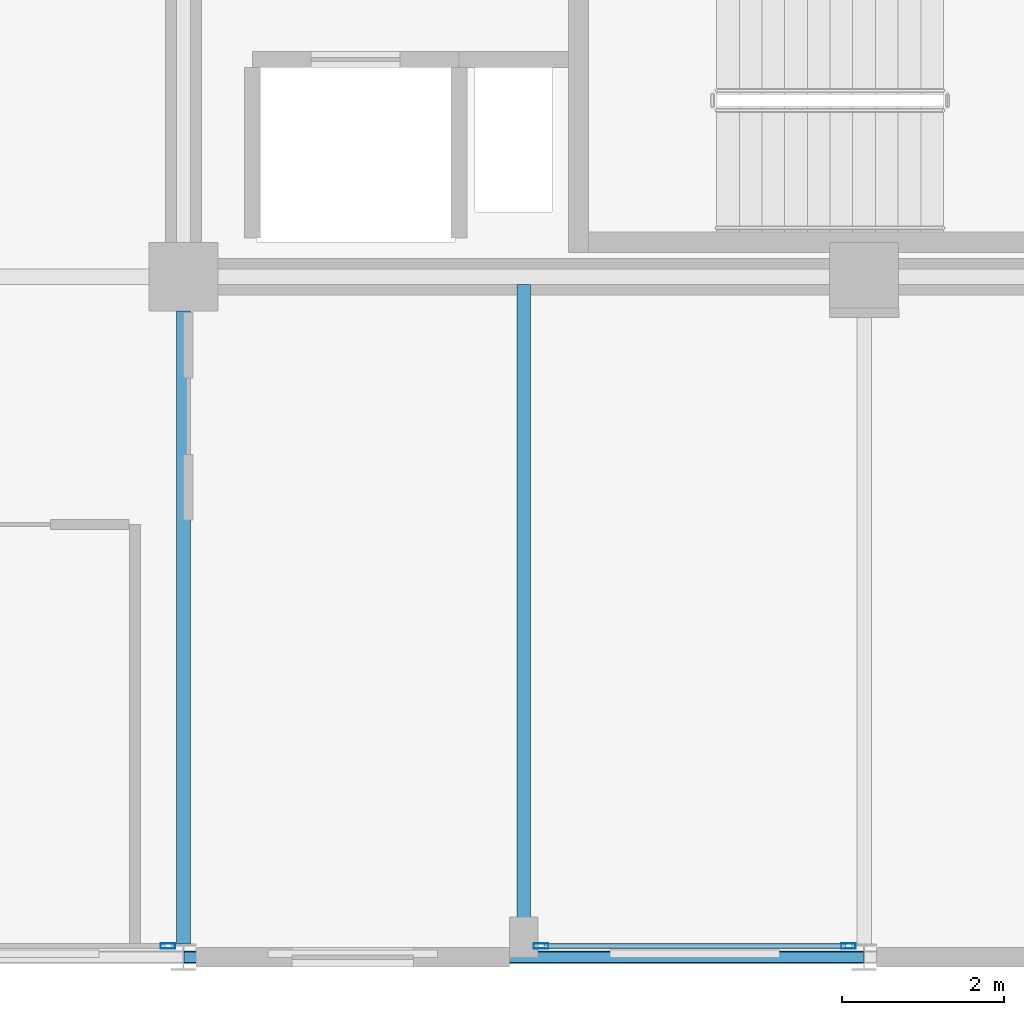
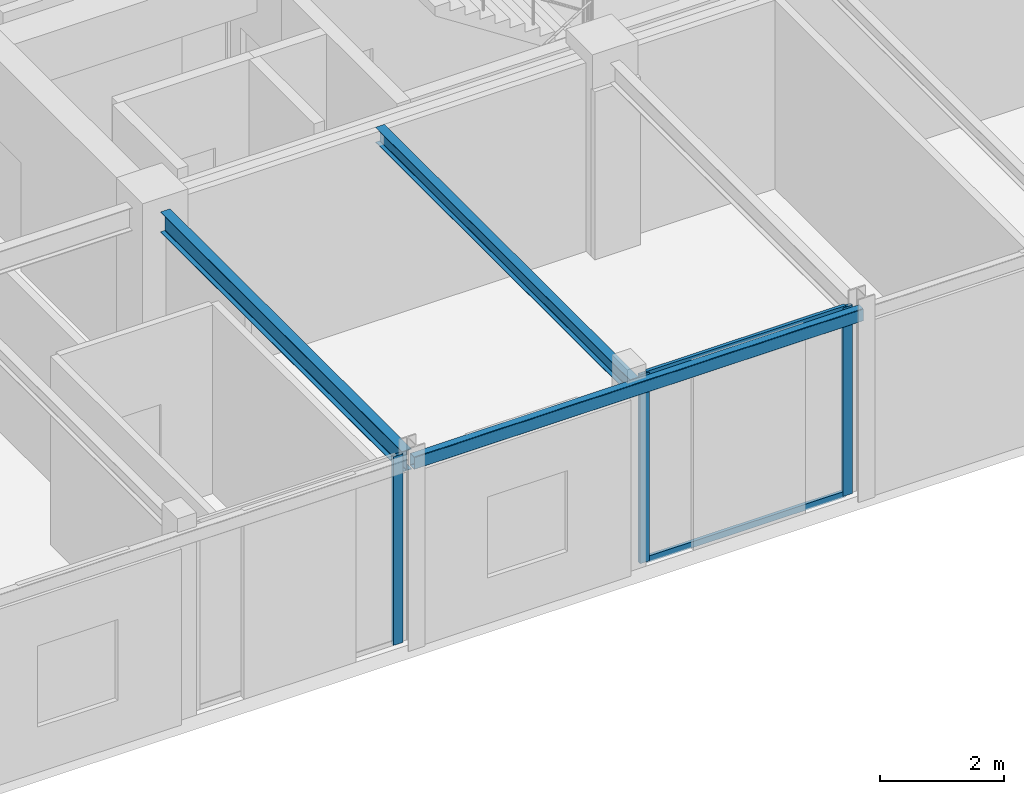
# One storey, part 7 of 26: 5 members, 3 beams, 2 elements without a shape of their own.
"""IFC4 building model written with IfcOpenShell, lengths in metres."""

from ifc_helpers import new_model, si_unit, direction, frame, origin, origin_2d, place, context, subcontext, project, spatial, hollow_rectangle, i_section, extrude, material, layer, layer_set, material_profile, profile_set, type_object, element, aggregate, save


model = new_model("IFC4")

# Units and contexts
model_context = context("Model", 3, precision=1e-05, world=origin(), true_north=direction((0.0, 1.0)))
body_context = subcontext(model_context, "Body", "Model", "MODEL_VIEW")
ifc_project = project(units=[si_unit("LENGTHUNIT", "METRE"), si_unit("AREAUNIT", "SQUARE_METRE"), si_unit("VOLUMEUNIT", "CUBIC_METRE"), si_unit("PLANEANGLEUNIT", "RADIAN"), si_unit("MASSUNIT", "GRAM", prefix="KILO")], contexts=[model_context])

# Site, building, storey
site_placement = place(None, origin())
site = spatial("IfcSite", under=ifc_project, at=site_placement, CompositionType="ELEMENT")
building_placement = place(site_placement, origin())
building = spatial("IfcBuilding", under=site, at=building_placement, Name="Nerrivon Quay Data Exchange", CompositionType="ELEMENT")
storey_placement = place(building_placement, frame((0.0, 0.0, 262.199951171875)))
storey = spatial("IfcBuildingStorey", under=building, at=storey_placement, Name="L62", CompositionType="ELEMENT", Elevation=262.199951171875)

# Beams
ifc_material_1 = material(Name="Steel Grade 350", Category="steel")
ifc_material_profile_1 = material_profile(ifc_material_1, i_section(OverallWidth=0.177978515625, OverallDepth=0.406005859375, WebThickness=0.0078125, FlangeThickness=0.0126953125, FilletRadius=0.011474609375, at=origin_2d()), Name="410UB59.7")
ifc_profile_set_1 = profile_set([ifc_material_profile_1], Name="Steel Grade 350")
beam_type_1 = type_object("IfcBeamType", Name="BM-J1-410UB60", PredefinedType="JOIST", material=ifc_profile_set_1)
beam_1_placement = place(storey_placement, frame((16.800048828125, 0.16357421875, 3.52197265625), z_axis=(0.0, 1.0, 0.0), x_axis=(-1.0, 0.0, 0.0)))
element("IfcBeam", 1, at=beam_1_placement, inside=storey, type_object=beam_type_1, Name="L62 NS Girder X=16.8 (0.0..8.4)", PredefinedType="JOIST", context=body_context, shape_type="SweptSolid", body=[
    extrude(i_section(OverallWidth=0.177978515625, OverallDepth=0.406005859375, WebThickness=0.0078125, FlangeThickness=0.0126953125, FilletRadius=0.011474609375, at=origin_2d()), origin(), (0.0, 0.0, 1.0), 7.8115234375),
])
ifc_material_profile_2 = material_profile(ifc_material_1, i_section(OverallWidth=0.1650390625, OverallDepth=0.303955078125, WebThickness=0.006103515625, FlangeThickness=0.01025390625, FilletRadius=0.011474609375, at=origin_2d()), Name="310UB40.4")
ifc_profile_set_2 = profile_set([ifc_material_profile_2], Name="Steel Grade 350")
beam_type_2 = type_object("IfcBeamType", Name="BM-J6-310UB40", PredefinedType="JOIST", material=ifc_profile_set_2)
beam_2_placement = place(storey_placement, frame((21.0, 0.074951171875, 3.572998046875), z_axis=(0.0, 1.0, 0.0), x_axis=(-1.0, 0.0, 0.0)))
element("IfcBeam", 2, at=beam_2_placement, inside=storey, type_object=beam_type_2, Name="L62 Secondary Joist X=21.0 (0.0..8.4)", PredefinedType="JOIST", context=body_context, shape_type="SweptSolid", body=[
    extrude(i_section(OverallWidth=0.1650390625, OverallDepth=0.303955078125, WebThickness=0.006103515625, FlangeThickness=0.01025390625, FilletRadius=0.011474609375, at=origin_2d()), origin(), (0.0, 0.0, 1.0), 8.22998046875),
])
ifc_material_2 = material(Name="Steel Grade C350L0 (350 MPa)", Category="steel")
ifc_material_profile_3 = material_profile(ifc_material_2, hollow_rectangle(XDim=0.14990234375, YDim=0.25, WallThickness=0.009033203125, InnerFilletRadius=0.013427734375, OuterFilletRadius=0.0224609375, at=origin_2d()), Name="250x150x9.0RHS")
ifc_profile_set_3 = profile_set([ifc_material_profile_3], Name="Steel Grade C350L0 (350 MPa)")
beam_type_3 = type_object("IfcBeamType", Name="BM-SP4-250x150RHS", PredefinedType="SPANDREL", material=ifc_profile_set_3)
beam_3_placement = place(storey_placement, frame((16.807861328125, 0.0, 3.60009765625), z_axis=(1.0, 0.0, 0.0), x_axis=(0.0, 1.0, 0.0)))
element("IfcBeam", 3, at=beam_3_placement, inside=storey, type_object=beam_type_3, Name="L62 EW Girder Y=0.0 (16.8..25.2)", PredefinedType="SPANDREL", context=body_context, shape_type="SweptSolid", body=[
    extrude(hollow_rectangle(XDim=0.14990234375, YDim=0.25, WallThickness=0.009033203125, InnerFilletRadius=0.013427734375, OuterFilletRadius=0.0224609375, at=origin_2d()), origin(), (0.0, 0.0, 1.0), 8.38427734375),
])

# Curtain wall, members
ifc_material_3 = material(Name="Anodised aluminium 6063-T6", Category="aluminium")
ifc_layer = layer(ifc_material_3, 0.195068359375)
ifc_layer_set = layer_set([ifc_layer], Name="Anodised aluminium 6063-T6")
curtain_wall_type = type_object("IfcCurtainWallType", Name="CW-SYS-06", PredefinedType="NOTDEFINED", material=ifc_layer_set)
curtain_wall_1_placement = place(storey_placement, origin())
curtain_wall_1 = element("IfcCurtainWall", 4, at=curtain_wall_1_placement, inside=storey, type_object=curtain_wall_type, Name="L62 Unitised Curtain Wall 4", PredefinedType="NOTDEFINED")
ifc_material_profile_4 = material_profile(ifc_material_3, hollow_rectangle(XDim=0.06494140625, YDim=0.179931640625, WallThickness=0.00341796875, at=origin_2d()), Name="ALU-MULL-180x65")
ifc_profile_set_4 = profile_set([ifc_material_profile_4], Name="Anodised aluminium 6063-T6")
member_type_1 = type_object("IfcMemberType", Name="CWM-180x65", PredefinedType="MULLION", material=ifc_profile_set_4)
member_1_placement = place(storey_placement, frame((25.007080078125, 0.139892578125, 0.0), z_axis=(0.0, 0.0, 1.0), x_axis=(0.0, -1.0, 0.0)))
member_1 = element("IfcMember", 5, at=member_1_placement, type_object=member_type_1, Name="CW06 mullion 1", PredefinedType="MULLION", context=body_context, shape_type="SweptSolid", body=[
    extrude(hollow_rectangle(XDim=0.06494140625, YDim=0.179931640625, WallThickness=0.00341796875, at=origin_2d()), origin(), (0.0, 0.0, 1.0), 3.72509765625),
])
member_2_placement = place(storey_placement, frame((21.21240234375, 0.139892578125, 0.0), z_axis=(0.0, 0.0, 1.0), x_axis=(0.0, -1.0, 0.0)))
member_2 = element("IfcMember", 6, at=member_2_placement, type_object=member_type_1, Name="CW06 mullion 2", PredefinedType="MULLION", context=body_context, shape_type="SweptSolid", body=[
    extrude(hollow_rectangle(XDim=0.06494140625, YDim=0.179931640625, WallThickness=0.00341796875, at=origin_2d()), origin(), (0.0, 0.0, 1.0), 3.72509765625),
])

# Curtain wall, member
curtain_wall_2_placement = place(storey_placement, origin())
curtain_wall_2 = element("IfcCurtainWall", 7, at=curtain_wall_2_placement, inside=storey, type_object=curtain_wall_type, Name="L62 Unitised Curtain Wall 6", PredefinedType="NOTDEFINED")
member_3_placement = place(storey_placement, frame((16.60693359375, 0.139892578125, 0.0), z_axis=(0.0, 0.0, 1.0), x_axis=(0.0, -1.0, 0.0)))
member_3 = element("IfcMember", 8, at=member_3_placement, type_object=member_type_1, Name="CW06 mullion 1", PredefinedType="MULLION", context=body_context, shape_type="SweptSolid", body=[
    extrude(hollow_rectangle(XDim=0.06494140625, YDim=0.179931640625, WallThickness=0.00341796875, at=origin_2d()), origin(), (0.0, 0.0, 1.0), 3.72509765625),
])
aggregate(curtain_wall_2, [member_3])

# Member
ifc_material_profile_5 = material_profile(ifc_material_3, hollow_rectangle(XDim=0.06005859375, YDim=0.1201171875, WallThickness=0.003173828125, at=origin_2d()), Name="ALU-TRAN-120x60")
ifc_profile_set_5 = profile_set([ifc_material_profile_5], Name="Anodised aluminium 6063-T6")
member_type_2 = type_object("IfcMemberType", Name="CWT-120x60", PredefinedType="USERDEFINED", material=ifc_profile_set_5)
member_4_placement = place(storey_placement, frame((24.969482421875, 0.139892578125, 0.032470703125), z_axis=(-1.0, 0.0, 0.0), x_axis=(0.0, -1.0, 0.0)))
member_4 = element("IfcMember", 9, at=member_4_placement, type_object=member_type_2, Name="CW06 transom 1.1", ObjectType="TRANSOM", PredefinedType="USERDEFINED", context=body_context, shape_type="SweptSolid", body=[
    extrude(hollow_rectangle(XDim=0.06005859375, YDim=0.1201171875, WallThickness=0.003173828125, at=origin_2d()), origin(), (0.0, 0.0, 1.0), 3.719482421875),
])

member_5_placement = place(storey_placement, frame((24.969482421875, 0.139892578125, 3.692626953125), z_axis=(-1.0, 0.0, 0.0), x_axis=(0.0, -1.0, 0.0)))
member_5 = element("IfcMember", 10, at=member_5_placement, type_object=member_type_2, Name="CW06 transom 1.2", ObjectType="TRANSOM", PredefinedType="USERDEFINED", context=body_context, shape_type="SweptSolid", body=[
    extrude(hollow_rectangle(XDim=0.06005859375, YDim=0.1201171875, WallThickness=0.003173828125, at=origin_2d()), origin(), (0.0, 0.0, 1.0), 3.719482421875),
])

aggregate(curtain_wall_1, [member_1, member_2, member_4, member_5])

save(model, "model.ifc")
